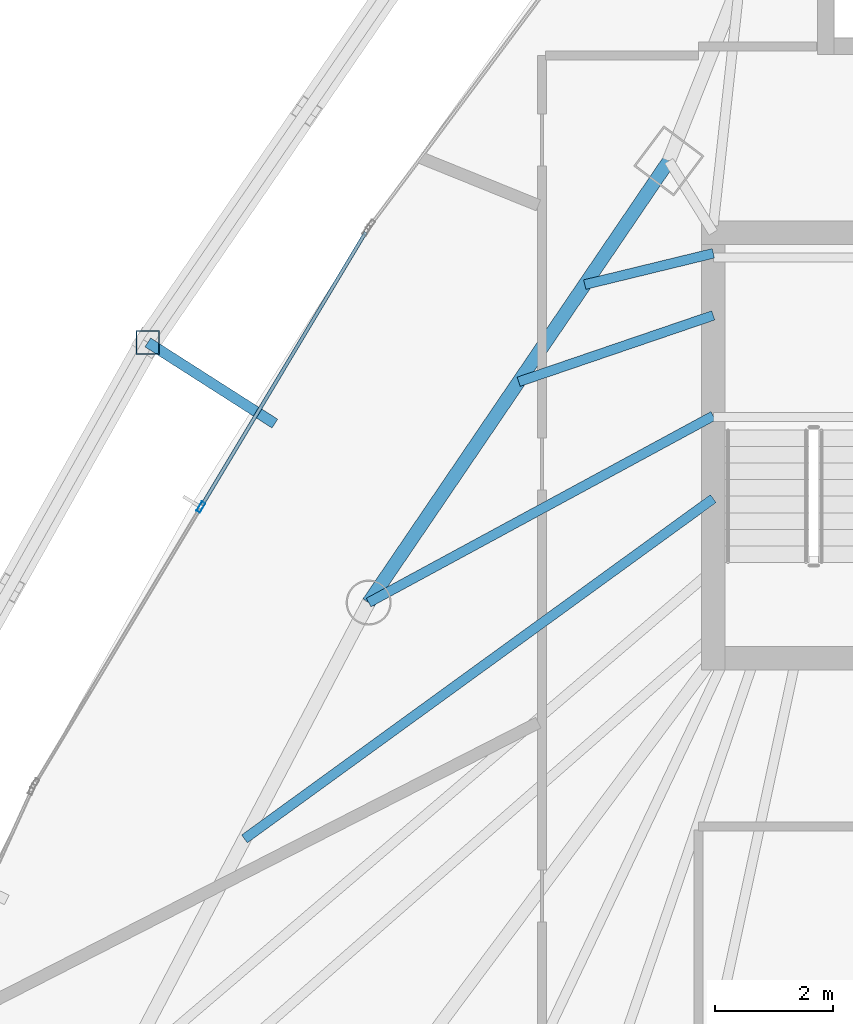
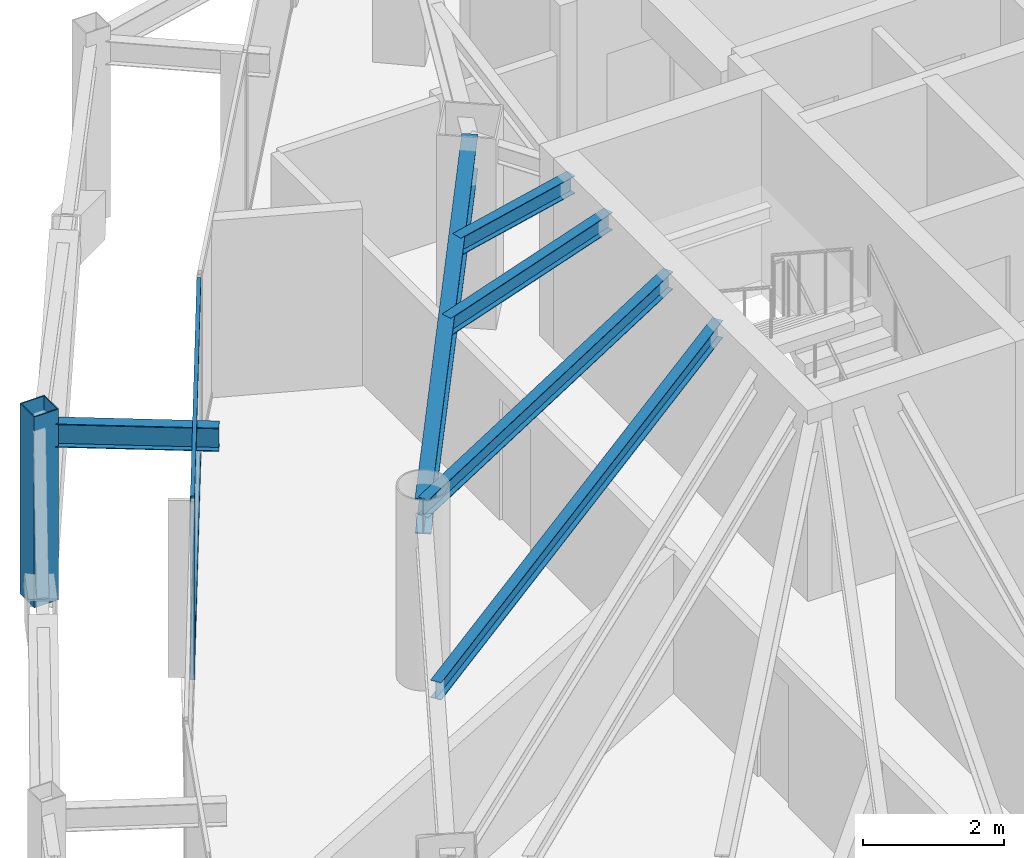
# One storey, part 12 of 31: 6 beams, 4 members, 1 element without a shape of its own.
"""IFC4 building model written with IfcOpenShell, lengths in metres."""

from ifc_helpers import new_model, si_unit, direction, frame, origin, origin_2d, place, context, subcontext, project, spatial, hollow_rectangle, i_section, extrude, material, layer, layer_set, material_profile, profile_set, type_object, element, aggregate, save


model = new_model("IFC4")

# Units and contexts
model_context = context("Model", 3, precision=1e-05, world=origin(), true_north=direction((0.0, 1.0)))
body_context = subcontext(model_context, "Body", "Model", "MODEL_VIEW")
ifc_project = project(units=[si_unit("LENGTHUNIT", "METRE"), si_unit("AREAUNIT", "SQUARE_METRE"), si_unit("VOLUMEUNIT", "CUBIC_METRE"), si_unit("PLANEANGLEUNIT", "RADIAN"), si_unit("MASSUNIT", "GRAM", prefix="KILO")], contexts=[model_context])

# Site, building, storey
site_placement = place(None, origin())
site = spatial("IfcSite", under=ifc_project, at=site_placement, CompositionType="ELEMENT")
building_placement = place(site_placement, origin())
building = spatial("IfcBuilding", under=site, at=building_placement, Name="Orvanel Arch Residences", CompositionType="ELEMENT")
storey_placement = place(building_placement, frame((0.0, 0.0, 150.64990234375)))
storey = spatial("IfcBuildingStorey", under=building, at=storey_placement, Name="L42", CompositionType="ELEMENT", Elevation=150.64990234375)

# Beams
ifc_material_1 = material(Name="Structural steel AS/NZS 3679.1 Grade 300 (300 MPa)", Category="steel")
ifc_material_profile_1 = material_profile(ifc_material_1, i_section(OverallWidth=0.1650390625, OverallDepth=0.303955078125, WebThickness=0.006103515625, FlangeThickness=0.01025390625, at=origin_2d()), Name="310UB40.4")
ifc_profile_set_1 = profile_set([ifc_material_profile_1], Name="Structural steel AS/NZS 3679.1 Grade 300 (300 MPa)")
beam_type_1 = type_object("IfcBeamType", Name="BJ-310UB", PredefinedType="JOIST", material=ifc_profile_set_1)
beam_1_placement = place(storey_placement, frame((26.39990234375, 30.800048828125, 2.908203125), z_axis=(-0.87925534649, -0.476350748576, 0.0), x_axis=(0.476350748576, -0.87925534649, 0.0)))
element("IfcBeam", 1, at=beam_1_placement, inside=storey, type_object=beam_type_1, Name="L42 NW Wing Floor Joist", PredefinedType="JOIST", context=body_context, shape_type="SweptSolid", body=[
    extrude(i_section(OverallWidth=0.1650390625, OverallDepth=0.303955078125, WebThickness=0.006103515625, FlangeThickness=0.01025390625, at=origin_2d()), origin(), (0.0, 0.0, 1.0), 6.631591796875),
])
beam_2_placement = place(storey_placement, frame((26.39990234375, 32.5, 2.908203125), z_axis=(-0.946441958332, -0.322873999431, 0.0), x_axis=(0.322873999431, -0.946441958332, 0.0)))
element("IfcBeam", 2, at=beam_2_placement, inside=storey, type_object=beam_type_1, Name="L42 WNW Wing Floor Joist", PredefinedType="JOIST", context=body_context, shape_type="SweptSolid", body=[
    extrude(i_section(OverallWidth=0.1650390625, OverallDepth=0.303955078125, WebThickness=0.006103515625, FlangeThickness=0.01025390625, at=origin_2d()), origin(), (0.0, 0.0, 1.0), 3.478271484375),
])
beam_3_placement = place(storey_placement, frame((26.39990234375, 29.39990234375, 2.908203125), z_axis=(-0.809261403954, -0.587448704203, 0.0), x_axis=(0.587448704203, -0.809261403954, 0.0)))
element("IfcBeam", 3, at=beam_3_placement, inside=storey, type_object=beam_type_1, Name="L42 CTW Wing Floor Joist", PredefinedType="JOIST", context=body_context, shape_type="SweptSolid", body=[
    extrude(i_section(OverallWidth=0.1650390625, OverallDepth=0.303955078125, WebThickness=0.006103515625, FlangeThickness=0.01025390625, at=origin_2d()), origin(), (0.0, 0.0, 1.0), 9.80126953125),
])
beam_4_placement = place(storey_placement, frame((26.39990234375, 33.550048828125, 2.908203125), z_axis=(-0.971638471014, -0.236471312521, 0.0), x_axis=(0.236471312521, -0.971638471014, 0.0)))
element("IfcBeam", 4, at=beam_4_placement, inside=storey, type_object=beam_type_1, Name="L42 JADD3 Wing Floor Joist", PredefinedType="JOIST", context=body_context, shape_type="SweptSolid", body=[
    extrude(i_section(OverallWidth=0.1650390625, OverallDepth=0.303955078125, WebThickness=0.006103515625, FlangeThickness=0.01025390625, at=origin_2d()), origin(), (0.0, 0.0, 1.0), 2.2373046875),
])

# Curtain wall, member
ifc_material_2 = material(Name="Bronze-anodised aluminium AA6063-T6", Category="aluminium")
ifc_layer = layer(ifc_material_2, 0.179931640625)
ifc_layer_set = layer_set([ifc_layer], Name="Bronze-anodised aluminium AA6063-T6")
curtain_wall_type = type_object("IfcCurtainWallType", Name="CW3-MID-SYS", PredefinedType="NOTDEFINED", material=ifc_layer_set)
curtain_wall_placement = place(storey_placement, origin())
curtain_wall = element("IfcCurtainWall", 5, at=curtain_wall_placement, inside=storey, type_object=curtain_wall_type, Name="L42 CW3-MID-SYS Unitised Curtain Wall", PredefinedType="NOTDEFINED")
ifc_material_profile_2 = material_profile(ifc_material_2, hollow_rectangle(XDim=0.070068359375, YDim=0.179931640625, WallThickness=0.00439453125, at=origin_2d()), Name="ALU180x70x4.5")
ifc_profile_set_2 = profile_set([ifc_material_profile_2], Name="Bronze-anodised aluminium AA6063-T6")
member_type_1 = type_object("IfcMemberType", Name="MUL-180x70", PredefinedType="MULLION", material=ifc_profile_set_2)
member_1_placement = place(storey_placement, frame((17.73095703125, 29.257080078125, 0.0), z_axis=(0.0, 0.0, 1.0), x_axis=(0.857541106242, -0.514415446021, 0.0)))
member_1 = element("IfcMember", 6, at=member_1_placement, type_object=member_type_1, Name="CW-S3 mullion 2", PredefinedType="MULLION", context=body_context, shape_type="SweptSolid", body=[
    extrude(hollow_rectangle(XDim=0.070068359375, YDim=0.179931640625, WallThickness=0.00439453125, at=origin_2d()), origin(), (0.0, 0.0, 1.0), 3.06005859375),
])

# Beams
ifc_material_profile_3 = material_profile(ifc_material_1, i_section(OverallWidth=0.177978515625, OverallDepth=0.406005859375, WebThickness=0.0078125, FlangeThickness=0.0126953125, at=origin_2d()), Name="410UB59.7")
ifc_profile_set_3 = profile_set([ifc_material_profile_3], Name="Structural steel AS/NZS 3679.1 Grade 300 (300 MPa)")
beam_type_2 = type_object("IfcBeamType", Name="OB-410UB-EXT", PredefinedType="SPANDREL", material=ifc_profile_set_3)
beam_5_placement = place(storey_placement, frame((18.98193359375, 30.6689453125, 2.857177734375), z_axis=(-0.842674541319, 0.538423269754, 0.0), x_axis=(-0.538423269754, -0.842674541319, 0.0)))
element("IfcBeam", 7, at=beam_5_placement, inside=storey, type_object=beam_type_2, Name="L42 Outer Frame Radial Tie Beam 02", PredefinedType="SPANDREL", context=body_context, shape_type="SweptSolid", body=[
    extrude(i_section(OverallWidth=0.177978515625, OverallDepth=0.406005859375, WebThickness=0.0078125, FlangeThickness=0.0126953125, at=origin_2d()), origin(), (0.0, 0.0, 1.0), 2.550048828125),
])
ifc_material_profile_4 = material_profile(ifc_material_1, i_section(OverallWidth=0.22900390625, OverallDepth=0.612060546875, WebThickness=0.011962890625, FlangeThickness=0.01953125, at=origin_2d()), Name="610UB125")
ifc_profile_set_4 = profile_set([ifc_material_profile_4], Name="Structural steel AS/NZS 3679.1 Grade 300 (300 MPa)")
beam_type_3 = type_object("IfcBeamType", Name="SP-610UB", PredefinedType="SPANDREL", material=ifc_profile_set_4)
beam_6_placement = place(storey_placement, frame((25.64794921875, 35.113037109375, 2.754150390625), z_axis=(-0.562154793153, -0.827032035978, 0.0), x_axis=(0.827032035978, -0.562154793153, 0.0)))
element("IfcBeam", 8, at=beam_6_placement, inside=storey, type_object=beam_type_3, Name="L42 Perimeter Spandrel Beam 17", PredefinedType="SPANDREL", context=body_context, shape_type="SweptSolid", body=[
    extrude(i_section(OverallWidth=0.22900390625, OverallDepth=0.612060546875, WebThickness=0.011962890625, FlangeThickness=0.01953125, at=origin_2d()), origin(), (0.0, 0.0, 1.0), 9.03466796875),
])

# Member
ifc_material_3 = material(Name="Structural steel AS/NZS 1163 C450L0 (Grade 450)", Category="steel")
ifc_material_profile_5 = material_profile(ifc_material_3, hollow_rectangle(XDim=0.39990234375, YDim=0.39990234375, WallThickness=0.01611328125, at=origin_2d()), Name="SHS400x400x16")
ifc_profile_set_5 = profile_set([ifc_material_profile_5], Name="Structural steel AS/NZS 1163 C450L0 (Grade 450)")
member_type_2 = type_object("IfcMemberType", Name="ST-400SHS-EXT", PredefinedType="STRUT", material=ifc_profile_set_5)
member_2_placement = place(storey_placement, frame((16.8330078125, 32.0419921875, 0.0), z_axis=(0.0, 0.0, 1.0), x_axis=(1.0, 0.0, 0.0)))
element("IfcMember", 9, at=member_2_placement, inside=storey, type_object=member_type_2, Name="L42 Outer Perimeter Frame Post 02", PredefinedType="STRUT", context=body_context, shape_type="SweptSolid", body=[
    extrude(hollow_rectangle(XDim=0.39990234375, YDim=0.39990234375, WallThickness=0.01611328125, at=origin_2d()), origin(), (0.0, 0.0, 1.0), 3.300048828125),
])

ifc_material_profile_6 = material_profile(ifc_material_2, hollow_rectangle(XDim=0.06005859375, YDim=0.135009765625, WallThickness=0.00390625, at=origin_2d()), Name="ALU135x60x4")
ifc_profile_set_6 = profile_set([ifc_material_profile_6], Name="Bronze-anodised aluminium AA6063-T6")
member_type_3 = type_object("IfcMemberType", Name="TRN-135x60", PredefinedType="USERDEFINED", material=ifc_profile_set_6)
member_3_placement = place(storey_placement, frame((20.52099609375, 33.907958984375, 0.030029296875), z_axis=(-0.514422461846, -0.857536897601, 0.0), x_axis=(0.857536897601, -0.514422461846, 0.0)))
member_3 = element("IfcMember", 10, at=member_3_placement, type_object=member_type_3, Name="CW-S3 transom 1.1", ObjectType="TRANSOM", PredefinedType="USERDEFINED", context=body_context, shape_type="SweptSolid", body=[
    extrude(hollow_rectangle(XDim=0.06005859375, YDim=0.135009765625, WallThickness=0.00390625, at=origin_2d()), origin(), (0.0, 0.0, 1.0), 5.388427734375),
])

member_4_placement = place(storey_placement, frame((20.52099609375, 33.907958984375, 3.030029296875), z_axis=(-0.514422461846, -0.857536897601, 0.0), x_axis=(0.857536897601, -0.514422461846, 0.0)))
member_4 = element("IfcMember", 11, at=member_4_placement, type_object=member_type_3, Name="CW-S3 transom 1.2", ObjectType="TRANSOM", PredefinedType="USERDEFINED", context=body_context, shape_type="SweptSolid", body=[
    extrude(hollow_rectangle(XDim=0.06005859375, YDim=0.135009765625, WallThickness=0.00390625, at=origin_2d()), origin(), (0.0, 0.0, 1.0), 5.388427734375),
])

aggregate(curtain_wall, [member_1, member_3, member_4])

save(model, "model.ifc")
